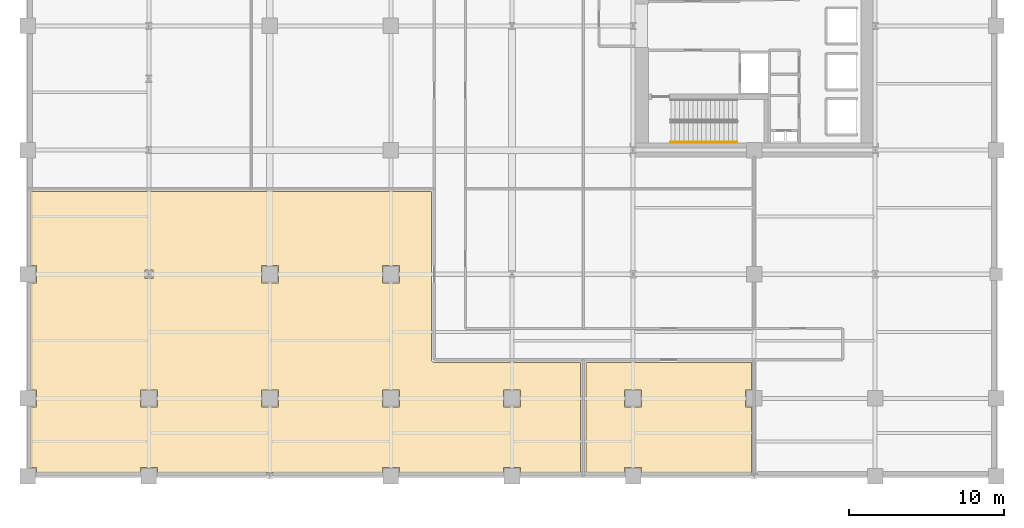
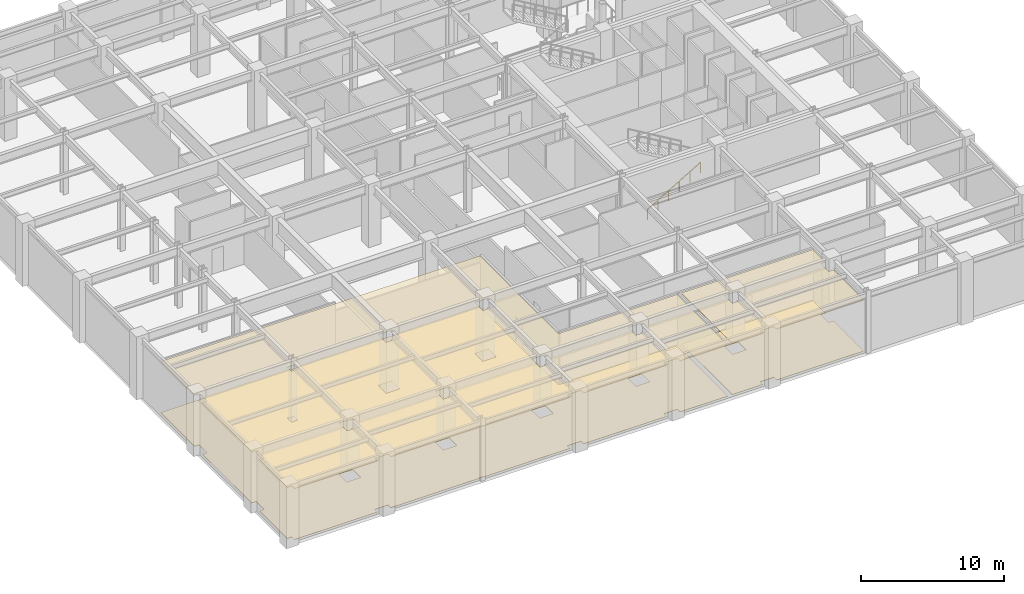
# One storey, part 11 of 12: 4 coverings, 1 railing.
"""IFC4 building model written with IfcOpenShell, lengths in metres."""

from ifc_helpers import new_model, si_unit, direction, frame, origin, origin_2d, place, context, subcontext, project, spatial, polyline, circle, outline, extrude, material, layer, layer_set, type_object, element, save


model = new_model("IFC4")

# Units and contexts
model_context = context("Model", 3, precision=1e-05, world=origin(), true_north=direction((0.0, 1.0)))
body_context = subcontext(model_context, "Body", "Model", "MODEL_VIEW")
ifc_project = project(units=[si_unit("LENGTHUNIT", "METRE"), si_unit("AREAUNIT", "SQUARE_METRE"), si_unit("VOLUMEUNIT", "CUBIC_METRE"), si_unit("PLANEANGLEUNIT", "RADIAN"), si_unit("MASSUNIT", "GRAM", prefix="KILO")], contexts=[model_context])

# Site, building, storey
site_placement = place(None, origin())
site = spatial("IfcSite", under=ifc_project, at=site_placement, CompositionType="ELEMENT")
building_placement = place(site_placement, origin())
building = spatial("IfcBuilding", under=site, at=building_placement, Name="Veymaron Broadcast Tower", CompositionType="ELEMENT")
storey_placement = place(building_placement, frame((0.0, 0.0, 10.800048828125)))
storey = spatial("IfcBuildingStorey", under=building, at=storey_placement, Name="L02", CompositionType="ELEMENT", Elevation=10.800048828125)

# Coverings
ifc_material_1 = material(Name="Micro-perforated dark-anodised aluminium baffle", Category="aluminium")
ifc_layer_1 = layer(ifc_material_1, 0.050048828125)
ifc_layer_set_1 = layer_set([ifc_layer_1], Name="Micro-perforated dark-anodised aluminium baffle")
covering_type_1 = type_object("IfcCoveringType", Name="COV-CEIL-MTL", PredefinedType="CEILING", material=ifc_layer_set_1)
covering_1_placement = place(storey_placement, frame((0.0, 0.0, 4.349853515625)))
element("IfcCovering", 1, at=covering_1_placement, inside=storey, type_object=covering_type_1, Name="L02 suspended acoustic ceiling 1", PredefinedType="CEILING", context=body_context, shape_type="SweptSolid", body=[
    extrude(outline(polyline([(46.56494140625, -4.820068359375), (39.550048828125, -4.820068359375), (39.550048828125, -4.449951171875), (38.449951171875, -4.449951171875), (38.449951171875, -4.820068359375), (35.97998046875, -4.820068359375), (35.97998046875, 2.320068359375), (46.6201171875, 2.320068359375), (46.6201171875, 0.550048828125), (46.25, 0.550048828125), (46.25, -0.550048828125), (46.6201171875, -0.550048828125), (46.6201171875, -4.77001953125), (46.56494140625, -4.77001953125), (46.56494140625, -4.820068359375)]), holes=[polyline([(38.449951171875, 0.550048828125), (38.449951171875, -0.550048828125), (39.550048828125, -0.550048828125), (39.550048828125, 0.550048828125), (38.449951171875, 0.550048828125)])]), origin(), (0.0, 0.0, 1.0), 0.050048828125),
])
covering_2_placement = place(storey_placement, frame((0.0, 0.0, 4.349853515625)))
element("IfcCovering", 2, at=covering_2_placement, inside=storey, type_object=covering_type_1, Name="L02 suspended acoustic ceiling 2", PredefinedType="CEILING", context=body_context, shape_type="SweptSolid", body=[
    extrude(outline(polyline([(0.179931640625, -0.550048828125), (0.550048828125, -0.550048828125), (0.550048828125, 0.550048828125), (0.179931640625, 0.550048828125), (0.179931640625, 7.449951171875), (0.550048828125, 7.449951171875), (0.550048828125, 8.550048828125), (0.179931640625, 8.550048828125), (0.179931640625, 13.320068359375), (26.02001953125, 13.320068359375), (26.02001953125, 2.5), (26.02099609375, 2.482421875), (26.0234375, 2.46484375), (26.02783203125, 2.44775390625), (26.03369140625, 2.43115234375), (26.041259765625, 2.4150390625), (26.05029296875, 2.39990234375), (26.060791015625, 2.3857421875), (26.07275390625, 2.372802734375), (26.085693359375, 2.36083984375), (26.10009765625, 2.350341796875), (26.114990234375, 2.34130859375), (26.131103515625, 2.333740234375), (26.147705078125, 2.327880859375), (26.164794921875, 2.323486328125), (26.182373046875, 2.32080078125), (26.199951171875, 2.320068359375), (35.6201171875, 2.320068359375), (35.6201171875, -4.820068359375), (31.75, -4.820068359375), (31.75, -4.449951171875), (30.64990234375, -4.449951171875), (30.64990234375, -4.820068359375), (23.949951171875, -4.820068359375), (23.949951171875, -4.449951171875), (22.85009765625, -4.449951171875), (22.85009765625, -4.820068359375), (15.8349609375, -4.820068359375), (15.8349609375, -4.77001953125), (15.364990234375, -4.77001953125), (15.364990234375, -4.820068359375), (8.35009765625, -4.820068359375), (8.35009765625, -4.449951171875), (7.25, -4.449951171875), (7.25, -4.820068359375), (0.550048828125, -4.820068359375), (0.550048828125, -4.449951171875), (0.179931640625, -4.449951171875), (0.179931640625, -0.550048828125)]), holes=[polyline([(30.64990234375, 0.550048828125), (30.64990234375, -0.550048828125), (31.75, -0.550048828125), (31.75, 0.550048828125), (30.64990234375, 0.550048828125)]), polyline([(22.85009765625, -0.550048828125), (23.949951171875, -0.550048828125), (23.949951171875, 0.550048828125), (22.85009765625, 0.550048828125), (22.85009765625, -0.550048828125)]), polyline([(22.85009765625, 8.550048828125), (22.85009765625, 7.449951171875), (23.949951171875, 7.449951171875), (23.949951171875, 8.550048828125), (22.85009765625, 8.550048828125)]), polyline([(15.050048828125, 0.550048828125), (15.050048828125, -0.550048828125), (16.14990234375, -0.550048828125), (16.14990234375, 0.550048828125), (15.050048828125, 0.550048828125)]), polyline([(16.14990234375, 8.550048828125), (15.050048828125, 8.550048828125), (15.050048828125, 7.449951171875), (16.14990234375, 7.449951171875), (16.14990234375, 8.550048828125)]), polyline([(7.25, -0.550048828125), (8.35009765625, -0.550048828125), (8.35009765625, 0.550048828125), (7.25, 0.550048828125), (7.25, -0.550048828125)]), polyline([(7.541015625, 8.277587890625), (7.541015625, 7.722412109375), (8.05908203125, 7.722412109375), (8.05908203125, 8.277587890625), (7.541015625, 8.277587890625)])]), origin(), (0.0, 0.0, 1.0), 0.050048828125),
])
ifc_material_2 = material(Name="Honed Saudi basalt stone flooring", Category="masonry")
ifc_layer_2 = layer(ifc_material_2, 0.030029296875)
ifc_layer_set_2 = layer_set([ifc_layer_2], Name="Honed Saudi basalt stone flooring")
covering_type_2 = type_object("IfcCoveringType", Name="COV-FLR-STN", PredefinedType="FLOORING", material=ifc_layer_set_2)
covering_3_placement = place(storey_placement, origin())
element("IfcCovering", 3, at=covering_3_placement, inside=storey, type_object=covering_type_2, Name="L02 finished flooring 1", PredefinedType="FLOORING", context=body_context, shape_type="SweptSolid", body=[
    extrude(outline(polyline([(46.56494140625, -4.820068359375), (39.550048828125, -4.820068359375), (39.550048828125, -4.449951171875), (38.449951171875, -4.449951171875), (38.449951171875, -4.820068359375), (35.97998046875, -4.820068359375), (35.97998046875, 2.320068359375), (46.6201171875, 2.320068359375), (46.6201171875, 0.550048828125), (46.25, 0.550048828125), (46.25, -0.550048828125), (46.6201171875, -0.550048828125), (46.6201171875, -4.77001953125), (46.56494140625, -4.77001953125), (46.56494140625, -4.820068359375)]), holes=[polyline([(38.449951171875, 0.550048828125), (38.449951171875, -0.550048828125), (39.550048828125, -0.550048828125), (39.550048828125, 0.550048828125), (38.449951171875, 0.550048828125)])]), origin(), (0.0, 0.0, 1.0), 0.030029296875),
])
covering_4_placement = place(storey_placement, origin())
element("IfcCovering", 4, at=covering_4_placement, inside=storey, type_object=covering_type_2, Name="L02 finished flooring 2", PredefinedType="FLOORING", context=body_context, shape_type="SweptSolid", body=[
    extrude(outline(polyline([(0.179931640625, -0.550048828125), (0.550048828125, -0.550048828125), (0.550048828125, 0.550048828125), (0.179931640625, 0.550048828125), (0.179931640625, 7.449951171875), (0.550048828125, 7.449951171875), (0.550048828125, 8.550048828125), (0.179931640625, 8.550048828125), (0.179931640625, 13.320068359375), (26.02001953125, 13.320068359375), (26.02001953125, 2.5), (26.02099609375, 2.482421875), (26.0234375, 2.46484375), (26.02783203125, 2.44775390625), (26.03369140625, 2.43115234375), (26.041259765625, 2.4150390625), (26.05029296875, 2.39990234375), (26.060791015625, 2.3857421875), (26.07275390625, 2.372802734375), (26.085693359375, 2.36083984375), (26.10009765625, 2.350341796875), (26.114990234375, 2.34130859375), (26.131103515625, 2.333740234375), (26.147705078125, 2.327880859375), (26.164794921875, 2.323486328125), (26.182373046875, 2.32080078125), (26.199951171875, 2.320068359375), (35.6201171875, 2.320068359375), (35.6201171875, -4.820068359375), (31.75, -4.820068359375), (31.75, -4.449951171875), (30.64990234375, -4.449951171875), (30.64990234375, -4.820068359375), (23.949951171875, -4.820068359375), (23.949951171875, -4.449951171875), (22.85009765625, -4.449951171875), (22.85009765625, -4.820068359375), (15.8349609375, -4.820068359375), (15.8349609375, -4.77001953125), (15.364990234375, -4.77001953125), (15.364990234375, -4.820068359375), (8.35009765625, -4.820068359375), (8.35009765625, -4.449951171875), (7.25, -4.449951171875), (7.25, -4.820068359375), (0.550048828125, -4.820068359375), (0.550048828125, -4.449951171875), (0.179931640625, -4.449951171875), (0.179931640625, -0.550048828125)]), holes=[polyline([(30.64990234375, 0.550048828125), (30.64990234375, -0.550048828125), (31.75, -0.550048828125), (31.75, 0.550048828125), (30.64990234375, 0.550048828125)]), polyline([(22.85009765625, -0.550048828125), (23.949951171875, -0.550048828125), (23.949951171875, 0.550048828125), (22.85009765625, 0.550048828125), (22.85009765625, -0.550048828125)]), polyline([(22.85009765625, 8.550048828125), (22.85009765625, 7.449951171875), (23.949951171875, 7.449951171875), (23.949951171875, 8.550048828125), (22.85009765625, 8.550048828125)]), polyline([(15.050048828125, 0.550048828125), (15.050048828125, -0.550048828125), (16.14990234375, -0.550048828125), (16.14990234375, 0.550048828125), (15.050048828125, 0.550048828125)]), polyline([(16.14990234375, 8.550048828125), (15.050048828125, 8.550048828125), (15.050048828125, 7.449951171875), (16.14990234375, 7.449951171875), (16.14990234375, 8.550048828125)]), polyline([(7.25, -0.550048828125), (8.35009765625, -0.550048828125), (8.35009765625, 0.550048828125), (7.25, 0.550048828125), (7.25, -0.550048828125)]), polyline([(7.541015625, 8.277587890625), (7.541015625, 7.722412109375), (8.05908203125, 7.722412109375), (8.05908203125, 8.277587890625), (7.541015625, 8.277587890625)])]), origin(), (0.0, 0.0, 1.0), 0.030029296875),
])

# Railing
ifc_material_3 = material(Name="Brushed stainless steel AISI 304", Category="steel")
railing_type = type_object("IfcRailingType", Name="RAIL-STAIR-HR", PredefinedType="HANDRAIL", material=ifc_material_3)
railing_placement = place(storey_placement, frame((41.429931640625, 16.5, 0.168701171875)))
element("IfcRailing", 5, at=railing_placement, inside=storey, type_object=railing_type, Name="L02 ST2 stair handrail 1", PredefinedType="HANDRAIL", context=body_context, shape_type="SweptSolid", body=[
    extrude(circle(Radius=0.02392578125, at=origin_2d()), frame((0.0, 0.0, 0.8759765625), z_axis=(0.860483042394, 0.0, 0.50947908078), x_axis=(0.0, 1.0, 0.0)), (0.0, 0.0, 1.0), 4.96826171875),
    extrude(circle(Radius=0.02099609375, at=origin_2d()), origin(), (0.0, 0.0, 1.0), 0.851806640625),
    extrude(circle(Radius=0.02099609375, at=origin_2d()), frame((0.85498046875, 0.0, 0.50634765625)), (0.0, 0.0, 1.0), 0.851806640625),
    extrude(circle(Radius=0.02099609375, at=origin_2d()), frame((1.7099609375, 0.0, 1.012451171875)), (0.0, 0.0, 1.0), 0.851806640625),
    extrude(circle(Radius=0.02099609375, at=origin_2d()), frame((2.565185546875, 0.0, 1.518798828125)), (0.0, 0.0, 1.0), 0.851806640625),
    extrude(circle(Radius=0.02099609375, at=origin_2d()), frame((3.420166015625, 0.0, 2.02490234375)), (0.0, 0.0, 1.0), 0.851806640625),
    extrude(circle(Radius=0.02099609375, at=origin_2d()), frame((4.275146484375, 0.0, 2.53125)), (0.0, 0.0, 1.0), 0.851806640625),
])

save(model, "model.ifc")
